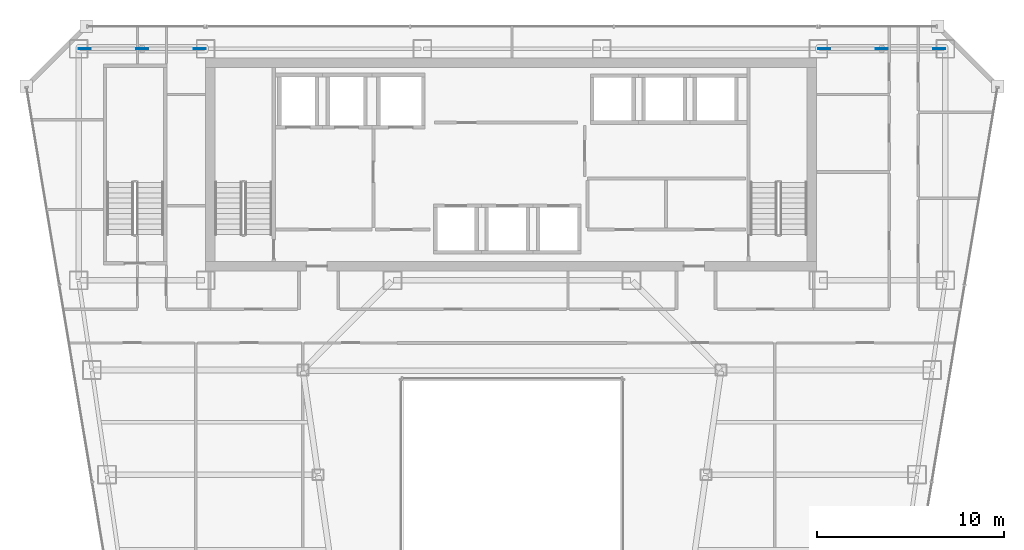
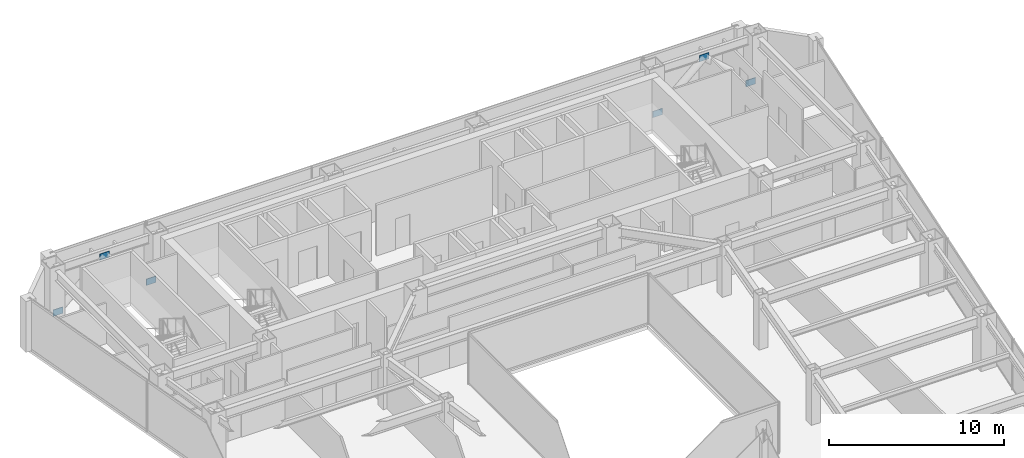
# One storey, part 30 of 37: 6 plates.
"""IFC4 building model written with IfcOpenShell, lengths in metres."""

from ifc_helpers import new_model, si_unit, direction, frame, origin, origin_2d, place, context, subcontext, project, spatial, rectangle, extrude, material, layer, layer_set, type_object, element, save


model = new_model("IFC4")

# Units and contexts
model_context = context("Model", 3, precision=1e-05, world=origin(), true_north=direction((0.0, 1.0)))
body_context = subcontext(model_context, "Body", "Model", "MODEL_VIEW")
ifc_project = project(units=[si_unit("LENGTHUNIT", "METRE"), si_unit("AREAUNIT", "SQUARE_METRE"), si_unit("VOLUMEUNIT", "CUBIC_METRE"), si_unit("PLANEANGLEUNIT", "RADIAN"), si_unit("MASSUNIT", "GRAM", prefix="KILO")], contexts=[model_context])

# Site, building, storey
site_placement = place(None, origin())
site = spatial("IfcSite", under=ifc_project, at=site_placement, CompositionType="ELEMENT")
building_placement = place(site_placement, origin())
building = spatial("IfcBuilding", under=site, at=building_placement, Name="Saevonmaru Cultural Tower", CompositionType="ELEMENT")
storey_placement = place(building_placement, frame((0.0, 0.0, 160.0)))
storey = spatial("IfcBuildingStorey", under=building, at=storey_placement, Name="L35", CompositionType="ELEMENT", Elevation=160.0)

# Plates
ifc_material = material(Name="Steel HSA600 (600 MPa)", Category="steel")
ifc_layer = layer(ifc_material, 0.0400390625, Name="Steel HSA600 (600 MPa)")
ifc_layer_set = layer_set([ifc_layer], Name="Steel HSA600 (600 MPa)")
plate_type = type_object("IfcPlateType", Name="PL-GUSSET-EXT", PredefinedType="USERDEFINED", material=ifc_layer_set)
for number, where, z_axis, x_axis, name in (
    (1, (10.199951171875, 54.800048828125, 2.85009765625), (0.0, 0.0, 1.0), (1.0, 0.0, 0.0), "L35 Perimeter Tube Gusset Plate"),
    (2, (7.1201171875, 54.800048828125, 0.02001953125), (0.0, 0.0, 1.0), (1.0, 0.0, 0.0), "L35 Perimeter Tube Gusset Plate"),
    (3, (13.280029296875, 54.800048828125, 0.02001953125), (0.0, 0.0, 1.0), (1.0, 0.0, 0.0), "L35 Perimeter Tube Gusset Plate"),
    (4, (49.800048828125, 54.800048828125, 2.85009765625), (0.0, 0.0, 1.0), (1.0, 0.0, 0.0), "L35 Perimeter Tube Gusset Plate"),
    (5, (46.719970703125, 54.800048828125, 0.02001953125), (0.0, 0.0, 1.0), (1.0, 0.0, 0.0), "L35 Perimeter Tube Gusset Plate"),
    (6, (52.8798828125, 54.800048828125, 0.02001953125), (0.0, 0.0, 1.0), (1.0, 0.0, 0.0), "L35 Perimeter Tube Gusset Plate"),
):
    element("IfcPlate", number, at=place(storey_placement, frame(where, z_axis=z_axis, x_axis=x_axis)), inside=storey, type_object=plate_type, Name=name, ObjectType="GUSSET_PLATE", PredefinedType="USERDEFINED", context=body_context, shape_type="SweptSolid", body=[
        extrude(rectangle(XDim=0.639892578125, YDim=0.0400390625, at=origin_2d()), origin(), (0.0, 0.0, 1.0), 0.43994140625),
    ])

save(model, "model.ifc")
